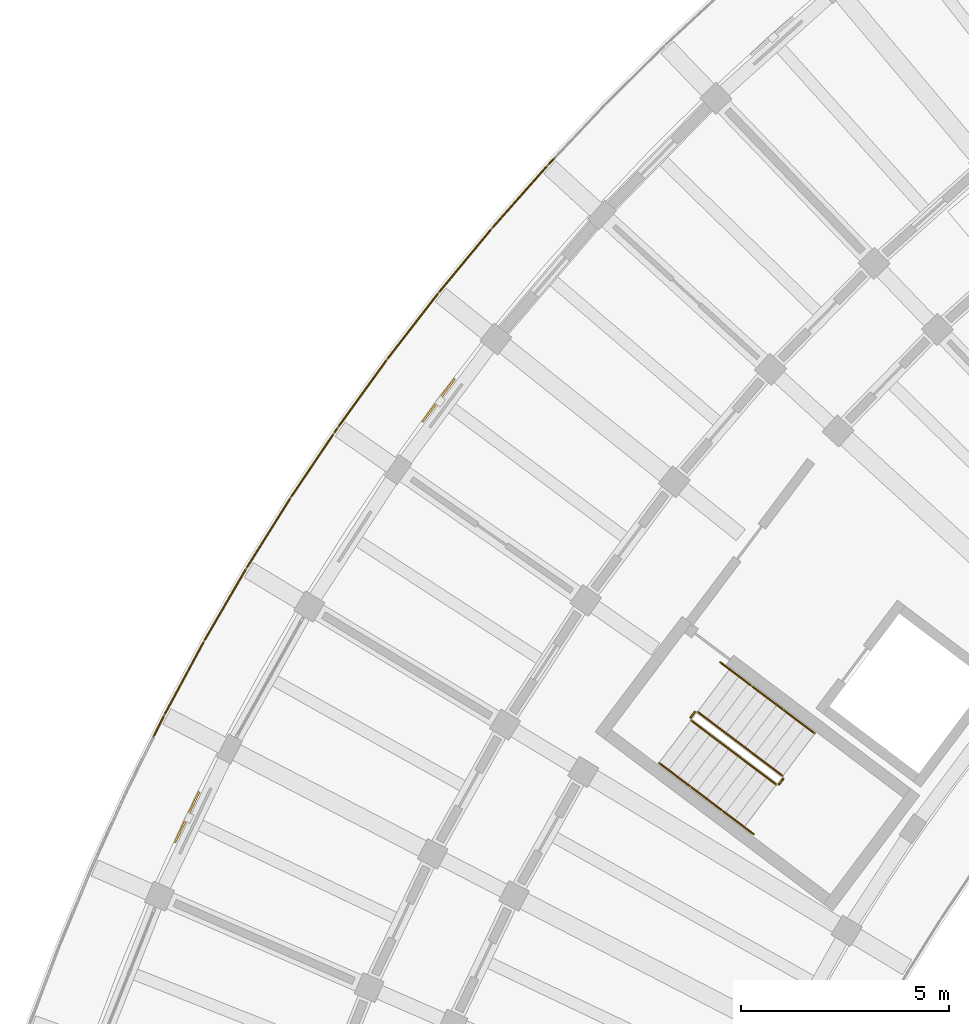
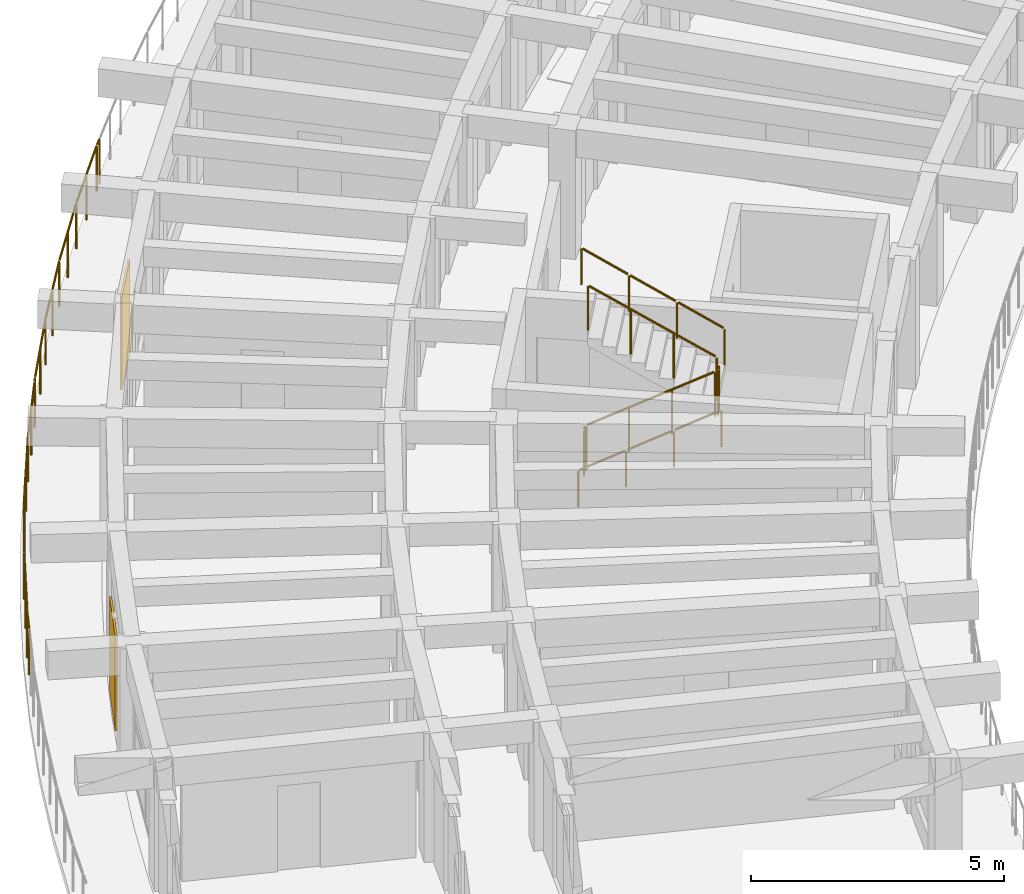
# One storey, part 84 of 96: 12 railings, 2 shading devices.
"""IFC4 building model written with IfcOpenShell, lengths in metres."""

from ifc_helpers import new_model, si_unit, direction, frame, origin, origin_2d, place, context, subcontext, project, spatial, rectangle, circle, extrude, material, layer, layer_set, type_object, element, save


model = new_model("IFC4")

# Units and contexts
model_context = context("Model", 3, precision=1e-05, world=origin(), true_north=direction((0.0, 1.0)))
body_context = subcontext(model_context, "Body", "Model", "MODEL_VIEW")
ifc_project = project(units=[si_unit("LENGTHUNIT", "METRE"), si_unit("AREAUNIT", "SQUARE_METRE"), si_unit("VOLUMEUNIT", "CUBIC_METRE"), si_unit("PLANEANGLEUNIT", "RADIAN"), si_unit("MASSUNIT", "GRAM", prefix="KILO")], contexts=[model_context])

# Site, building, storey
site_placement = place(None, origin())
site = spatial("IfcSite", under=ifc_project, at=site_placement, CompositionType="ELEMENT")
building_placement = place(site_placement, origin())
building = spatial("IfcBuilding", under=site, at=building_placement, Name="Tanwirah Colonnade Gardens", CompositionType="ELEMENT")
storey_placement = place(building_placement, frame((0.0, 0.0, 12.199951171875)))
storey = spatial("IfcBuildingStorey", under=building, at=storey_placement, Name="L03", CompositionType="ELEMENT", Elevation=12.199951171875)

# Railings
ifc_material_1 = material(Name="Precast concrete C40/50", Category="concrete")
railing_type_1 = type_object("IfcRailingType", Name="BAL-EXT112", PredefinedType="BALUSTRADE", material=ifc_material_1)
railing_1_placement = place(storey_placement, frame((10.266845703125, 87.8330078125, 0.0)))
element("IfcRailing", 1, at=railing_1_placement, inside=storey, type_object=railing_type_1, Name="Block A L03 Balcony Ribbon Balustrade 12", PredefinedType="BALUSTRADE", context=body_context, shape_type="SweptSolid", body=[
    extrude(circle(Radius=0.02392578125, at=origin_2d()), frame((0.013916015625, 0.028076171875, 1.09619140625), z_axis=(0.444368714855, 0.895843984887, 0.0), x_axis=(-0.895843984887, 0.444368714855, 0.0)), (0.0, 0.0, 1.0), 0.521484375),
    extrude(circle(Radius=0.02392578125, at=origin_2d()), frame((0.2744140625, 0.55078125, 1.09619140625), z_axis=(0.473826102441, 0.88061843306, 0.0), x_axis=(-0.88061843306, 0.473826102441, 0.0)), (0.0, 0.0, 1.0), 1.958740234375),
    extrude(circle(Radius=0.02392578125, at=origin_2d()), frame((1.23291015625, 2.330322265625, 1.09619140625), z_axis=(0.502421024862, 0.864623105045, 0.0), x_axis=(-0.864623105045, 0.502421024862, 0.0)), (0.0, 0.0, 1.0), 1.958984375),
    extrude(circle(Radius=0.02392578125, at=origin_2d()), frame((2.24951171875, 4.07763671875, 1.09619140625), z_axis=(0.530812919598, 0.847489023167, 0.0), x_axis=(-0.847489023167, 0.530812919598, 0.0)), (0.0, 0.0, 1.0), 1.958984375),
    extrude(circle(Radius=0.02392578125, at=origin_2d()), frame((3.3232421875, 5.7900390625, 1.09619140625), z_axis=(0.558315298827, 0.829628849001, 0.0), x_axis=(-0.829628849001, 0.558315298827, 0.0)), (0.0, 0.0, 1.0), 1.789306640625),
    extrude(circle(Radius=0.02099609375, at=origin_2d()), origin(), (0.0, 0.0, 1.0), 1.069091796875),
    extrude(circle(Radius=0.02099609375, at=origin_2d()), frame((0.259521484375, 0.523193359375, 0.0)), (0.0, 0.0, 1.0), 1.069091796875),
    extrude(circle(Radius=0.02099609375, at=origin_2d()), frame((0.73828125, 1.4130859375, 0.0)), (0.0, 0.0, 1.0), 1.069091796875),
    extrude(circle(Radius=0.02099609375, at=origin_2d()), frame((1.21728515625, 2.30322265625, 0.0)), (0.0, 0.0, 1.0), 1.069091796875),
    extrude(circle(Radius=0.02099609375, at=origin_2d()), frame((1.72509765625, 3.17724609375, 0.0)), (0.0, 0.0, 1.0), 1.069091796875),
    extrude(circle(Radius=0.02099609375, at=origin_2d()), frame((2.23291015625, 4.051025390625, 0.0)), (0.0, 0.0, 1.0), 1.069091796875),
    extrude(circle(Radius=0.02099609375, at=origin_2d()), frame((2.76953125, 4.90771484375, 0.0)), (0.0, 0.0, 1.0), 1.069091796875),
    extrude(circle(Radius=0.02099609375, at=origin_2d()), frame((3.305908203125, 5.76416015625, 0.0)), (0.0, 0.0, 1.0), 1.069091796875),
    extrude(circle(Radius=0.02099609375, at=origin_2d()), frame((3.82275390625, 6.5322265625, 0.0)), (0.0, 0.0, 1.0), 1.069091796875),
    extrude(circle(Radius=0.02099609375, at=origin_2d()), frame((4.33984375, 7.300537109375, 0.0)), (0.0, 0.0, 1.0), 1.069091796875),
])
railing_2_placement = place(storey_placement, frame((14.606689453125, 95.133544921875, 0.0)))
element("IfcRailing", 2, at=railing_2_placement, inside=storey, type_object=railing_type_1, Name="Block A L03 Balcony Ribbon Balustrade 13", PredefinedType="BALUSTRADE", context=body_context, shape_type="SweptSolid", body=[
    extrude(circle(Radius=0.02392578125, at=origin_2d()), frame((0.017578125, 0.02587890625, 1.09619140625), z_axis=(0.558681242275, 0.829382462758, 0.0), x_axis=(-0.829382462758, 0.558681242275, 0.0)), (0.0, 0.0, 1.0), 0.10693359375),
    extrude(circle(Radius=0.02392578125, at=origin_2d()), frame((0.113037109375, 0.166015625, 1.09619140625), z_axis=(0.585468507287, 0.810695150457, 0.0), x_axis=(-0.810695150457, 0.585468507287, 0.0)), (0.0, 0.0, 1.0), 1.958984375),
    extrude(circle(Radius=0.02392578125, at=origin_2d()), frame((1.29736328125, 1.80419921875, 1.09619140625), z_axis=(0.611856467608, 0.790968812942, 0.0), x_axis=(-0.790968812942, 0.611856467608, 0.0)), (0.0, 0.0, 1.0), 1.958984375),
    extrude(circle(Radius=0.02392578125, at=origin_2d()), frame((2.53515625, 3.402587890625, 1.09619140625), z_axis=(0.637555355491, 0.770404548717, 0.0), x_axis=(-0.770404548717, 0.637555355491, 0.0)), (0.0, 0.0, 1.0), 1.958984375),
    extrude(circle(Radius=0.02392578125, at=origin_2d()), frame((3.82470703125, 4.959228515625, 1.09619140625), z_axis=(0.662607760508, 0.748966591854, 0.0), x_axis=(-0.748966591854, 0.662607760508, 0.0)), (0.0, 0.0, 1.0), 1.958740234375),
    extrude(circle(Radius=0.02392578125, at=origin_2d()), frame((5.164794921875, 6.472412109375, 1.09619140625), z_axis=(0.686858017599, 0.726791623273, 0.0), x_axis=(-0.726791623273, 0.686858017599, 0.0)), (0.0, 0.0, 1.0), 0.18212890625),
    extrude(circle(Radius=0.02099609375, at=origin_2d()), origin(), (0.0, 0.0, 1.0), 1.069091796875),
    extrude(circle(Radius=0.02099609375, at=origin_2d()), frame((0.0947265625, 0.140625, 0.0)), (0.0, 0.0, 1.0), 1.069091796875),
    extrude(circle(Radius=0.02099609375, at=origin_2d()), frame((0.6865234375, 0.9599609375, 0.0)), (0.0, 0.0, 1.0), 1.069091796875),
    extrude(circle(Radius=0.02099609375, at=origin_2d()), frame((1.2783203125, 1.779541015625, 0.0)), (0.0, 0.0, 1.0), 1.069091796875),
    extrude(circle(Radius=0.02099609375, at=origin_2d()), frame((1.896728515625, 2.5791015625, 0.0)), (0.0, 0.0, 1.0), 1.069091796875),
    extrude(circle(Radius=0.02099609375, at=origin_2d()), frame((2.51513671875, 3.37841796875, 0.0)), (0.0, 0.0, 1.0), 1.069091796875),
    extrude(circle(Radius=0.02099609375, at=origin_2d()), frame((3.15966796875, 4.1572265625, 0.0)), (0.0, 0.0, 1.0), 1.069091796875),
    extrude(circle(Radius=0.02099609375, at=origin_2d()), frame((3.803955078125, 4.935791015625, 0.0)), (0.0, 0.0, 1.0), 1.069091796875),
    extrude(circle(Radius=0.02099609375, at=origin_2d()), frame((4.4736328125, 5.69287109375, 0.0)), (0.0, 0.0, 1.0), 1.069091796875),
    extrude(circle(Radius=0.02099609375, at=origin_2d()), frame((5.143310546875, 6.44970703125, 0.0)), (0.0, 0.0, 1.0), 1.069091796875),
    extrude(circle(Radius=0.02099609375, at=origin_2d()), frame((5.311279296875, 6.62744140625, 0.0)), (0.0, 0.0, 1.0), 1.069091796875),
])
ifc_material_2 = material(Name="Powder-coated galvanized steel", Category="steel")
railing_type_2 = type_object("IfcRailingType", Name="GRD-ST110", PredefinedType="GUARDRAIL", material=ifc_material_2)
railing_3_placement = place(storey_placement, frame((23.201416015625, 88.22900390625, 0.16796875)))
element("IfcRailing", 3, at=railing_3_placement, inside=storey, type_object=railing_type_2, Name="L03 ST-A2 stair guard 1", PredefinedType="GUARDRAIL", context=body_context, shape_type="SweptSolid", body=[
    extrude(circle(Radius=0.02392578125, at=origin_2d()), frame((0.021484375, -0.01611328125, 1.092041015625), z_axis=(0.688012363654, -0.518448596756, 0.507789365762), x_axis=(0.601810650199, 0.798638805285, 0.0)), (0.0, 0.0, 1.0), 2.9150390625),
    extrude(circle(Radius=0.02099609375, at=origin_2d()), origin(), (0.0, 0.0, 1.0), 1.049072265625),
    extrude(circle(Radius=0.02099609375, at=origin_2d()), frame((0.682861328125, -0.5146484375, 0.50390625)), (0.0, 0.0, 1.0), 1.049072265625),
    extrude(circle(Radius=0.02099609375, at=origin_2d()), frame((1.36572265625, -1.029052734375, 1.008056640625)), (0.0, 0.0, 1.0), 1.049072265625),
    extrude(circle(Radius=0.02099609375, at=origin_2d()), frame((2.048583984375, -1.543701171875, 1.511962890625)), (0.0, 0.0, 1.0), 1.049072265625),
])
railing_4_placement = place(storey_placement, frame((25.320068359375, 86.695068359375, 1.679931640625)))
element("IfcRailing", 4, at=railing_4_placement, inside=storey, type_object=railing_type_2, Name="L03 ST-A2 stair guard 2", PredefinedType="GUARDRAIL", context=body_context, shape_type="SweptSolid", body=[
    extrude(circle(Radius=0.02392578125, at=origin_2d()), frame((0.018798828125, 0.02490234375, 1.076171875), z_axis=(0.600975757569, 0.799267251183, 0.0), x_axis=(-0.799267251183, 0.600975757569, 0.0)), (0.0, 0.0, 1.0), 0.09765625),
    extrude(circle(Radius=0.02099609375, at=origin_2d()), origin(), (0.0, 0.0, 1.0), 1.049072265625),
    extrude(circle(Radius=0.02099609375, at=origin_2d()), frame((0.09619140625, 0.1279296875, 0.0)), (0.0, 0.0, 1.0), 1.049072265625),
])
railing_5_placement = place(storey_placement, frame((25.406494140625, 86.89306640625, 1.84814453125)))
element("IfcRailing", 5, at=railing_5_placement, inside=storey, type_object=railing_type_2, Name="L03 ST-A2 stair guard 3", PredefinedType="GUARDRAIL", context=body_context, shape_type="SweptSolid", body=[
    extrude(circle(Radius=0.02392578125, at=origin_2d()), frame((-0.021484375, 0.01611328125, 1.092041015625), z_axis=(-0.688041610417, 0.518388637952, 0.507810951414), x_axis=(-0.60174993816, -0.798684550949, 0.0)), (0.0, 0.0, 1.0), 2.914794921875),
    extrude(circle(Radius=0.02099609375, at=origin_2d()), origin(), (0.0, 0.0, 1.0), 1.049072265625),
    extrude(circle(Radius=0.02099609375, at=origin_2d()), frame((-0.682861328125, 0.514404296875, 0.50390625)), (0.0, 0.0, 1.0), 1.049072265625),
    extrude(circle(Radius=0.02099609375, at=origin_2d()), frame((-1.36572265625, 1.029052734375, 1.008056640625)), (0.0, 0.0, 1.0), 1.049072265625),
    extrude(circle(Radius=0.02099609375, at=origin_2d()), frame((-2.048583984375, 1.54345703125, 1.511962890625)), (0.0, 0.0, 1.0), 1.049072265625),
])
railing_6_placement = place(storey_placement, frame((23.191650390625, 88.299072265625, 0.0)))
element("IfcRailing", 6, at=railing_6_placement, inside=storey, type_object=railing_type_2, Name="L03 ST-A2 stair guard 4", PredefinedType="GUARDRAIL", context=body_context, shape_type="SweptSolid", body=[
    extrude(circle(Radius=0.02392578125, at=origin_2d()), frame((0.018798828125, 0.02490234375, 1.076171875), z_axis=(0.602681987584, 0.797981467104, 0.0), x_axis=(-0.797981467104, 0.602681987584, 0.0)), (0.0, 0.0, 1.0), 0.097412109375),
    extrude(circle(Radius=0.02099609375, at=origin_2d()), origin(), (0.0, 0.0, 1.0), 1.049072265625),
    extrude(circle(Radius=0.02099609375, at=origin_2d()), frame((0.096435546875, 0.127685546875, 0.0)), (0.0, 0.0, 1.0), 1.049072265625),
])
ifc_material_3 = material(Name="Brushed bronze stainless steel", Category="steel")
railing_type_3 = type_object("IfcRailingType", Name="HR-ST090", PredefinedType="HANDRAIL", material=ifc_material_3)
railing_7_placement = place(storey_placement, frame((22.43115234375, 87.206787109375, 0.16796875)))
element("IfcRailing", 7, at=railing_7_placement, inside=storey, type_object=railing_type_3, Name="L03 ST-A2 stair handrail 1", PredefinedType="HANDRAIL", context=body_context, shape_type="SweptSolid", body=[
    extrude(circle(Radius=0.02392578125, at=origin_2d()), frame((0.021484375, -0.01611328125, 0.891845703125), z_axis=(0.686067825084, -0.516979036791, 0.511901958292), x_axis=(0.601807485929, 0.798641189696, 0.0)), (0.0, 0.0, 1.0), 1.04345703125),
    extrude(circle(Radius=0.02099609375, at=origin_2d()), origin(), (0.0, 0.0, 1.0), 0.848876953125),
    extrude(circle(Radius=0.02099609375, at=origin_2d()), frame((0.7587890625, -0.57177734375, 0.566162109375)), (0.0, 0.0, 1.0), 0.848876953125),
])
railing_8_placement = place(storey_placement, frame((23.18994140625, 86.635009765625, 0.734130859375)))
element("IfcRailing", 8, at=railing_8_placement, inside=storey, type_object=railing_type_3, Name="L03 ST-A2 stair handrail 2", PredefinedType="HANDRAIL", context=body_context, shape_type="SweptSolid", body=[
    extrude(circle(Radius=0.02392578125, at=origin_2d()), frame((0.021484375, -0.01611328125, 0.891845703125), z_axis=(0.686145346169, -0.517037451972, 0.51173903231), x_axis=(0.601807485929, 0.798641189696, 0.0)), (0.0, 0.0, 1.0), 1.04345703125),
    extrude(circle(Radius=0.02099609375, at=origin_2d()), origin(), (0.0, 0.0, 1.0), 0.848876953125),
    extrude(circle(Radius=0.02099609375, at=origin_2d()), frame((0.7587890625, -0.57177734375, 0.56591796875)), (0.0, 0.0, 1.0), 0.848876953125),
])
railing_9_placement = place(storey_placement, frame((23.94873046875, 86.063232421875, 1.300048828125)))
element("IfcRailing", 9, at=railing_9_placement, inside=storey, type_object=railing_type_3, Name="L03 ST-A2 stair handrail 3", PredefinedType="HANDRAIL", context=body_context, shape_type="SweptSolid", body=[
    extrude(circle(Radius=0.02392578125, at=origin_2d()), frame((0.021484375, -0.01611328125, 0.891845703125), z_axis=(0.686028488458, -0.517115777267, 0.511816554955), x_axis=(0.601931007785, 0.798548096152, 0.0)), (0.0, 0.0, 1.0), 1.043212890625),
    extrude(circle(Radius=0.02099609375, at=origin_2d()), origin(), (0.0, 0.0, 1.0), 0.848876953125),
    extrude(circle(Radius=0.02099609375, at=origin_2d()), frame((0.758544921875, -0.57177734375, 0.56591796875)), (0.0, 0.0, 1.0), 0.848876953125),
])
railing_10_placement = place(storey_placement, frame((26.1767578125, 87.915283203125, 1.84814453125)))
element("IfcRailing", 10, at=railing_10_placement, inside=storey, type_object=railing_type_3, Name="L03 ST-A2 stair handrail 4", PredefinedType="HANDRAIL", context=body_context, shape_type="SweptSolid", body=[
    extrude(circle(Radius=0.02392578125, at=origin_2d()), frame((-0.021484375, 0.01611328125, 0.891845703125), z_axis=(-0.686028488458, 0.517115777267, 0.511816554955), x_axis=(-0.601931007785, -0.798548096152, 0.0)), (0.0, 0.0, 1.0), 1.043212890625),
    extrude(circle(Radius=0.02099609375, at=origin_2d()), origin(), (0.0, 0.0, 1.0), 0.848876953125),
    extrude(circle(Radius=0.02099609375, at=origin_2d()), frame((-0.758544921875, 0.57177734375, 0.56591796875)), (0.0, 0.0, 1.0), 0.848876953125),
])
railing_11_placement = place(storey_placement, frame((25.418212890625, 88.487060546875, 2.4140625)))
element("IfcRailing", 11, at=railing_11_placement, inside=storey, type_object=railing_type_3, Name="L03 ST-A2 stair handrail 5", PredefinedType="HANDRAIL", context=body_context, shape_type="SweptSolid", body=[
    extrude(circle(Radius=0.02392578125, at=origin_2d()), frame((-0.021484375, 0.01611328125, 0.891845703125), z_axis=(-0.686223662955, 0.51687567406, 0.51179744232), x_axis=(-0.601643549736, -0.798764695677, 0.0)), (0.0, 0.0, 1.0), 1.043212890625),
    extrude(circle(Radius=0.02099609375, at=origin_2d()), origin(), (0.0, 0.0, 1.0), 0.848876953125),
    extrude(circle(Radius=0.02099609375, at=origin_2d()), frame((-0.7587890625, 0.571533203125, 0.56591796875)), (0.0, 0.0, 1.0), 0.848876953125),
])
railing_12_placement = place(storey_placement, frame((24.659423828125, 89.05859375, 2.97998046875)))
element("IfcRailing", 12, at=railing_12_placement, inside=storey, type_object=railing_type_3, Name="L03 ST-A2 stair handrail 6", PredefinedType="HANDRAIL", context=body_context, shape_type="SweptSolid", body=[
    extrude(circle(Radius=0.02392578125, at=origin_2d()), frame((-0.021484375, 0.01611328125, 0.891845703125), z_axis=(-0.686067825084, 0.516979036791, 0.511901958292), x_axis=(-0.601807485929, -0.798641189696, 0.0)), (0.0, 0.0, 1.0), 1.04345703125),
    extrude(circle(Radius=0.02099609375, at=origin_2d()), origin(), (0.0, 0.0, 1.0), 0.848876953125),
    extrude(circle(Radius=0.02099609375, at=origin_2d()), frame((-0.7587890625, 0.57177734375, 0.566162109375)), (0.0, 0.0, 1.0), 0.848876953125),
])

# Shading devices
ifc_material_4 = material(Name="Perforated architectural bronze aluminium", Category="aluminium")
ifc_layer = layer(ifc_material_4, 0.044921875)
ifc_layer_set = layer_set([ifc_layer], Name="Perforated architectural bronze aluminium")
shading_device_type = type_object("IfcShadingDeviceType", Name="SHD-MSH1", PredefinedType="JALOUSIE", material=ifc_layer_set)
shading_device_1_placement = place(storey_placement, frame((17.12890625, 95.93017578125, 0.0), z_axis=(0.0, 0.0, 1.0), x_axis=(-0.598713571255, -0.800963207392, 0.0)))
element("IfcShadingDevice", 13, at=shading_device_1_placement, inside=storey, type_object=shading_device_type, Name="Bronze mashrabiya solar screen A-L03-12", PredefinedType="JALOUSIE", context=body_context, shape_type="SweptSolid", body=[
    extrude(rectangle(XDim=1.300048828125, YDim=0.044921875, at=origin_2d()), origin(), (0.0, 0.0, 1.0), 2.25),
])
shading_device_2_placement = place(storey_placement, frame((11.077392578125, 85.90283203125, 0.0), z_axis=(0.0, 0.0, 1.0), x_axis=(-0.429636092721, -0.903002119506, 0.0)))
element("IfcShadingDevice", 14, at=shading_device_2_placement, inside=storey, type_object=shading_device_type, Name="Bronze mashrabiya solar screen A-L03-15", PredefinedType="JALOUSIE", context=body_context, shape_type="SweptSolid", body=[
    extrude(rectangle(XDim=1.35009765625, YDim=0.044921875, at=origin_2d()), origin(), (0.0, 0.0, 1.0), 2.300048828125),
])

save(model, "model.ifc")
